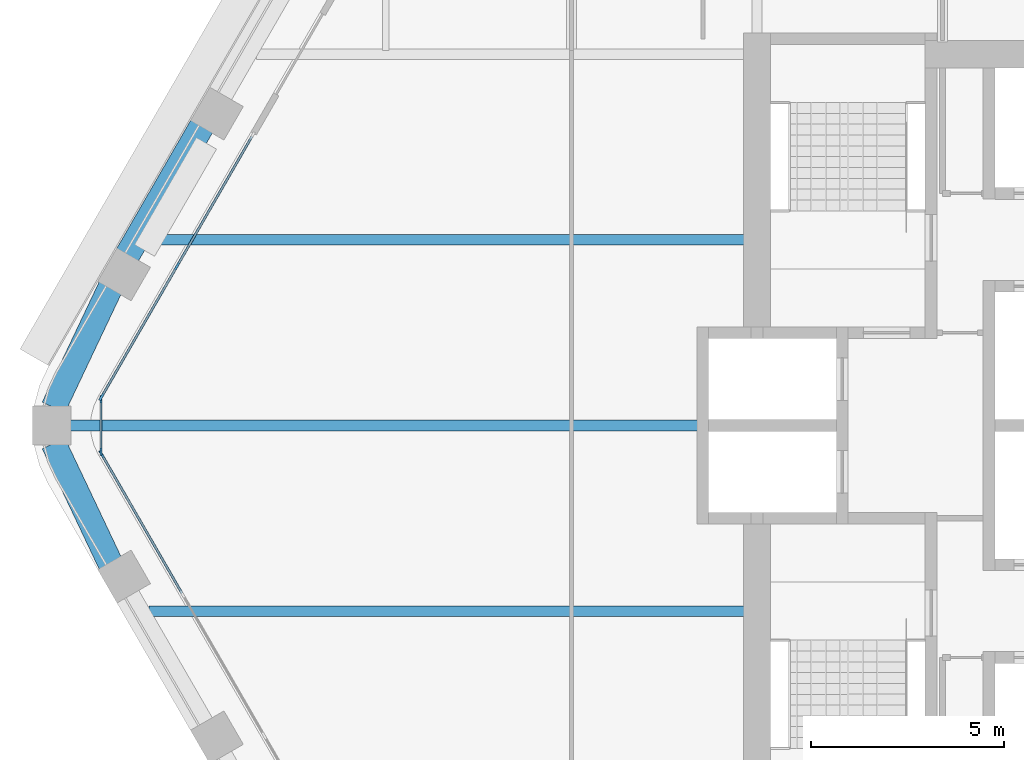
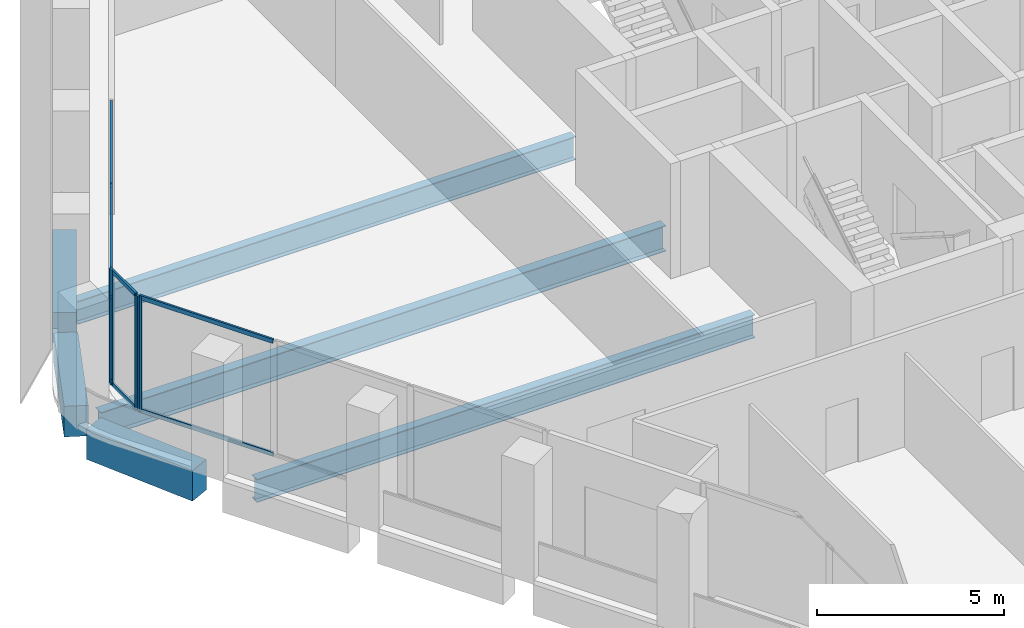
# One storey, part 3 of 15: 13 members, 6 beams, 3 elements without a shape of their own.
"""IFC4 building model written with IfcOpenShell, lengths in metres."""

from ifc_helpers import new_model, si_unit, direction, frame, origin, origin_2d, place, context, subcontext, project, spatial, rectangle, i_section, extrude, material, material_profile, profile_set, type_object, element, aggregate, save


model = new_model("IFC4")

# Units and contexts
model_context = context("Model", 3, precision=1e-05, world=origin(), true_north=direction((0.0, 1.0)))
body_context = subcontext(model_context, "Body", "Model", "MODEL_VIEW")
ifc_project = project(units=[si_unit("LENGTHUNIT", "METRE"), si_unit("AREAUNIT", "SQUARE_METRE"), si_unit("VOLUMEUNIT", "CUBIC_METRE"), si_unit("PLANEANGLEUNIT", "RADIAN"), si_unit("MASSUNIT", "GRAM", prefix="KILO")], contexts=[model_context])

# Site, building, storey
site_placement = place(None, origin())
site = spatial("IfcSite", under=ifc_project, at=site_placement, CompositionType="ELEMENT")
building_placement = place(site_placement, origin())
building = spatial("IfcBuilding", under=site, at=building_placement, Name="Kolab Exchange Tower", CompositionType="ELEMENT")
storey_placement = place(building_placement, frame((0.0, 0.0, 189.5)))
storey = spatial("IfcBuildingStorey", under=building, at=storey_placement, Name="L40", CompositionType="ELEMENT", Elevation=189.5)

# Beams
ifc_material_1 = material(Name="Steel S355", Category="steel")
ifc_material_profile_1 = material_profile(ifc_material_1, i_section(OverallWidth=0.26708984375, OverallDepth=0.761962890625, WebThickness=0.014404296875, FlangeThickness=0.021484375, at=origin_2d()), Name="W760X173")
ifc_profile_set_1 = profile_set([ifc_material_profile_1], Name="Steel S355")
beam_type_1 = type_object("IfcBeamType", Name="FLOOR BEAM W760X173", PredefinedType="BEAM", material=ifc_profile_set_1)
for number, where, z_axis, x_axis, name in (
    (1, (-25.318115234375, -4.800048828125, -0.531005859375), (1.0, 0.0, 0.0), (0.0, 1.0, 0.0), "beam/L40/fr/001"),
    (2, (-25.318115234375, 4.800048828125, -0.531005859375), (1.0, 0.0, 0.0), (0.0, 1.0, 0.0), "beam/L40/fr/002"),
):
    element("IfcBeam", number, at=place(storey_placement, frame(where, z_axis=z_axis, x_axis=x_axis)), inside=storey, type_object=beam_type_1, Name=name, PredefinedType="BEAM", context=body_context, shape_type="SweptSolid", body=[
        extrude(i_section(OverallWidth=0.26708984375, OverallDepth=0.761962890625, WebThickness=0.014404296875, FlangeThickness=0.021484375, at=origin_2d()), origin(), (0.0, 0.0, 1.0), 15.408203125),
    ])
ifc_material_profile_2 = material_profile(ifc_material_1, i_section(OverallWidth=0.2919921875, OverallDepth=0.840087890625, WebThickness=0.0146484375, FlangeThickness=0.021728515625, at=origin_2d()), Name="W840X193")
ifc_profile_set_2 = profile_set([ifc_material_profile_2], Name="Steel S355")
beam_type_2 = type_object("IfcBeamType", Name="FLOOR BEAM W840X193", PredefinedType="BEAM", material=ifc_profile_set_2)
beam_1_placement = place(storey_placement, frame((-27.3759765625, 0.0, -0.570068359375), z_axis=(1.0, 0.0, 0.0), x_axis=(0.0, 1.0, 0.0)))
element("IfcBeam", 3, at=beam_1_placement, inside=storey, type_object=beam_type_2, Name="beam/L40/fr/000", PredefinedType="BEAM", context=body_context, shape_type="SweptSolid", body=[
    extrude(i_section(OverallWidth=0.2919921875, OverallDepth=0.840087890625, WebThickness=0.0146484375, FlangeThickness=0.021728515625, at=origin_2d()), origin(), (0.0, 0.0, 1.0), 17.466064453125),
])
ifc_material_2 = material(Name="Concrete C60/75", Category="concrete")
ifc_material_profile_3 = material_profile(ifc_material_2, rectangle(XDim=0.64990234375, YDim=1.0, at=origin_2d()), Name="RC650X1000")
ifc_profile_set_3 = profile_set([ifc_material_profile_3], Name="Concrete C60/75")
beam_type_3 = type_object("IfcBeamType", Name="SPANDREL BEAM 650X1000 C60/75", PredefinedType="BEAM", material=ifc_profile_set_3)
for number, where, z_axis, x_axis, name in (
    (4, (-26.316162109375, -3.5771484375, -0.64990234375), (-0.428177731975, 0.903694544545, 0.0), (-0.903694544545, -0.428177731975, 0.0), "beam/L40/sp/F5-06"),
    (5, (-27.791259765625, 0.4638671875, -0.64990234375), (0.428177731975, 0.903694544545, 0.0), (-0.903694544545, 0.428177731975, 0.0), "beam/L40/sp/F6-01"),
):
    element("IfcBeam", number, at=place(storey_placement, frame(where, z_axis=z_axis, x_axis=x_axis)), inside=storey, type_object=beam_type_3, Name=name, PredefinedType="BEAM", context=body_context, shape_type="SweptSolid", body=[
        extrude(rectangle(XDim=0.64990234375, YDim=1.0, at=origin_2d()), origin(), (0.0, 0.0, 1.0), 3.445068359375),
    ])
beam_2_placement = place(storey_placement, frame((-25.888427734375, 4.392822265625, -0.64990234375), z_axis=(0.499996613652, 0.866027358884, 0.0), x_axis=(-0.866027358884, 0.499996613652, 0.0)))
element("IfcBeam", 6, at=beam_2_placement, inside=storey, type_object=beam_type_3, Name="beam/L40/sp/F6-02", PredefinedType="BEAM", context=body_context, shape_type="SweptSolid", body=[
    extrude(rectangle(XDim=0.64990234375, YDim=1.0, at=origin_2d()), origin(), (0.0, 0.0, 1.0), 3.8798828125),
])

# Curtain wall, member
ifc_material_3 = material(Name="Aluminium EN AW-6063 T6", Category="aluminium")
curtain_wall_type = type_object("IfcCurtainWallType", Name="UNITISED UPPER MID ZONE CURTAIN WALL", PredefinedType="NOTDEFINED", material=ifc_material_3)
curtain_wall_1_placement = place(storey_placement, origin())
curtain_wall_1 = element("IfcCurtainWall", 7, at=curtain_wall_1_placement, inside=storey, type_object=curtain_wall_type, Name="cw/L40/F5-2", PredefinedType="NOTDEFINED")
ifc_material_profile_4 = material_profile(ifc_material_3, rectangle(XDim=0.06005859375, YDim=0.199951171875, at=origin_2d()), Name="RECT 60X200")
ifc_profile_set_4 = profile_set([ifc_material_profile_4], Name="Aluminium EN AW-6063 T6")
member_type_1 = type_object("IfcMemberType", Name="UNITISED UPPER MID ZONE MULLION 60 X 200", PredefinedType="MULLION", material=ifc_profile_set_4)
member_1_placement = place(storey_placement, frame((-26.550537109375, -0.736083984375, 0.0), z_axis=(0.0, 0.0, 1.0), x_axis=(-0.866025427826, -0.499999958358, 0.0)))
member_1 = element("IfcMember", 8, at=member_1_placement, type_object=member_type_1, Name="CW3 mullion 4", PredefinedType="MULLION", context=body_context, shape_type="SweptSolid", body=[
    extrude(rectangle(XDim=0.06005859375, YDim=0.199951171875, at=origin_2d()), origin(), (0.0, 0.0, 1.0), 3.75),
])

# Curtain wall, members
curtain_wall_2_placement = place(storey_placement, origin())
curtain_wall_2 = element("IfcCurtainWall", 9, at=curtain_wall_2_placement, inside=storey, type_object=curtain_wall_type, Name="cw/L40/F6-1", PredefinedType="NOTDEFINED")
member_2_placement = place(storey_placement, frame((-26.550537109375, 0.736083984375, 0.0), z_axis=(0.0, 0.0, 1.0), x_axis=(-0.866025440524, 0.499999936366, 0.0)))
member_2 = element("IfcMember", 10, at=member_2_placement, type_object=member_type_1, Name="CW3 mullion 1", PredefinedType="MULLION", context=body_context, shape_type="SweptSolid", body=[
    extrude(rectangle(XDim=0.06005859375, YDim=0.199951171875, at=origin_2d()), origin(), (0.0, 0.0, 1.0), 3.75),
])
member_3_placement = place(storey_placement, frame((-24.5986328125, 4.116943359375, 0.0), z_axis=(0.0, 0.0, 1.0), x_axis=(-0.866025440524, 0.499999936366, 0.0)))
member_3 = element("IfcMember", 11, at=member_3_placement, type_object=member_type_1, Name="CW3 mullion 2", PredefinedType="MULLION", context=body_context, shape_type="SweptSolid", body=[
    extrude(rectangle(XDim=0.06005859375, YDim=0.199951171875, at=origin_2d()), origin(), (0.0, 0.0, 1.0), 3.75),
])

curtain_wall_3_placement = place(storey_placement, origin())
curtain_wall_3 = element("IfcCurtainWall", 12, at=curtain_wall_3_placement, inside=storey, type_object=curtain_wall_type, Name="cw/L40/F5F6-corner", PredefinedType="NOTDEFINED")
member_4_placement = place(storey_placement, frame((-26.565673828125, -0.679931640625, 0.0), z_axis=(0.0, 0.0, 1.0), x_axis=(-1.0, 0.0, 0.0)))
member_4 = element("IfcMember", 13, at=member_4_placement, type_object=member_type_1, Name="CW3 mullion 1", PredefinedType="MULLION", context=body_context, shape_type="SweptSolid", body=[
    extrude(rectangle(XDim=0.06005859375, YDim=0.199951171875, at=origin_2d()), origin(), (0.0, 0.0, 1.0), 3.75),
])
member_5_placement = place(storey_placement, frame((-26.565673828125, 0.679931640625, 0.0), z_axis=(0.0, 0.0, 1.0), x_axis=(-1.0, 0.0, 0.0)))
member_5 = element("IfcMember", 14, at=member_5_placement, type_object=member_type_1, Name="CW3 mullion 2", PredefinedType="MULLION", context=body_context, shape_type="SweptSolid", body=[
    extrude(rectangle(XDim=0.06005859375, YDim=0.199951171875, at=origin_2d()), origin(), (0.0, 0.0, 1.0), 3.75),
])

# Member
ifc_material_profile_5 = material_profile(ifc_material_3, rectangle(XDim=0.06005859375, YDim=0.139892578125, at=origin_2d()), Name="RECT 60X140")
ifc_profile_set_5 = profile_set([ifc_material_profile_5], Name="Aluminium EN AW-6063 T6")
member_type_2 = type_object("IfcMemberType", Name="UNITISED UPPER MID ZONE TRANSOM 60 X 140", PredefinedType="USERDEFINED", material=ifc_profile_set_5)
member_6_placement = place(storey_placement, frame((-24.46923828125, -4.3408203125, 0.030029296875), z_axis=(-0.500027577057, 0.866009481578, 0.0), x_axis=(-0.866009481578, -0.500027577057, 0.0)))
member_6 = element("IfcMember", 15, at=member_6_placement, type_object=member_type_2, Name="CW3 transom 3.1", ObjectType="TRANSOM", PredefinedType="USERDEFINED", context=body_context, shape_type="SweptSolid", body=[
    extrude(rectangle(XDim=0.06005859375, YDim=0.139892578125, at=origin_2d()), origin(), (0.0, 0.0, 1.0), 4.132568359375),
])

member_7_placement = place(storey_placement, frame((-24.46923828125, -4.3408203125, 3.719970703125), z_axis=(-0.500027577057, 0.866009481578, 0.0), x_axis=(-0.866009481578, -0.500027577057, 0.0)))
member_7 = element("IfcMember", 16, at=member_7_placement, type_object=member_type_2, Name="CW3 transom 3.2", ObjectType="TRANSOM", PredefinedType="USERDEFINED", context=body_context, shape_type="SweptSolid", body=[
    extrude(rectangle(XDim=0.06005859375, YDim=0.139892578125, at=origin_2d()), origin(), (0.0, 0.0, 1.0), 4.132568359375),
])

aggregate(curtain_wall_1, [member_1, member_6, member_7])

member_8_placement = place(storey_placement, frame((-26.53564453125, 0.761962890625, 0.030029296875), z_axis=(0.499991857942, 0.866030104553, 0.0), x_axis=(-0.866030104553, 0.499991857942, 0.0)))
member_8 = element("IfcMember", 17, at=member_8_placement, type_object=member_type_2, Name="CW3 transom 1.1", ObjectType="TRANSOM", PredefinedType="USERDEFINED", context=body_context, shape_type="SweptSolid", body=[
    extrude(rectangle(XDim=0.06005859375, YDim=0.139892578125, at=origin_2d()), origin(), (0.0, 0.0, 1.0), 3.84375),
])

member_9_placement = place(storey_placement, frame((-26.53564453125, 0.761962890625, 3.719970703125), z_axis=(0.499991857942, 0.866030104553, 0.0), x_axis=(-0.866030104553, 0.499991857942, 0.0)))
member_9 = element("IfcMember", 18, at=member_9_placement, type_object=member_type_2, Name="CW3 transom 1.2", ObjectType="TRANSOM", PredefinedType="USERDEFINED", context=body_context, shape_type="SweptSolid", body=[
    extrude(rectangle(XDim=0.06005859375, YDim=0.139892578125, at=origin_2d()), origin(), (0.0, 0.0, 1.0), 3.84375),
])

member_10_placement = place(storey_placement, frame((-24.583740234375, 4.142822265625, 0.030029296875), z_axis=(0.500011990396, 0.866018481016, 0.0), x_axis=(-0.866018481016, 0.500011990396, 0.0)))
member_10 = element("IfcMember", 19, at=member_10_placement, type_object=member_type_2, Name="CW3 transom 2.1", ObjectType="TRANSOM", PredefinedType="USERDEFINED", context=body_context, shape_type="SweptSolid", body=[
    extrude(rectangle(XDim=0.06005859375, YDim=0.139892578125, at=origin_2d()), origin(), (0.0, 0.0, 1.0), 3.84423828125),
])

member_11_placement = place(storey_placement, frame((-24.583740234375, 4.142822265625, 3.719970703125), z_axis=(0.500011990396, 0.866018481016, 0.0), x_axis=(-0.866018481016, 0.500011990396, 0.0)))
member_11 = element("IfcMember", 20, at=member_11_placement, type_object=member_type_2, Name="CW3 transom 2.2", ObjectType="TRANSOM", PredefinedType="USERDEFINED", context=body_context, shape_type="SweptSolid", body=[
    extrude(rectangle(XDim=0.06005859375, YDim=0.139892578125, at=origin_2d()), origin(), (0.0, 0.0, 1.0), 3.84423828125),
])

aggregate(curtain_wall_2, [member_2, member_3, member_8, member_9, member_10, member_11])

member_12_placement = place(storey_placement, frame((-26.565673828125, -0.64990234375, 0.030029296875), z_axis=(0.0, 1.0, 0.0), x_axis=(-1.0, 0.0, 0.0)))
member_12 = element("IfcMember", 21, at=member_12_placement, type_object=member_type_2, Name="CW3 transom 1.1", ObjectType="TRANSOM", PredefinedType="USERDEFINED", context=body_context, shape_type="SweptSolid", body=[
    extrude(rectangle(XDim=0.06005859375, YDim=0.139892578125, at=origin_2d()), origin(), (0.0, 0.0, 1.0), 1.2998046875),
])

member_13_placement = place(storey_placement, frame((-26.565673828125, -0.64990234375, 3.719970703125), z_axis=(0.0, 1.0, 0.0), x_axis=(-1.0, 0.0, 0.0)))
member_13 = element("IfcMember", 22, at=member_13_placement, type_object=member_type_2, Name="CW3 transom 1.2", ObjectType="TRANSOM", PredefinedType="USERDEFINED", context=body_context, shape_type="SweptSolid", body=[
    extrude(rectangle(XDim=0.06005859375, YDim=0.139892578125, at=origin_2d()), origin(), (0.0, 0.0, 1.0), 1.2998046875),
])

aggregate(curtain_wall_3, [member_4, member_5, member_12, member_13])

save(model, "model.ifc")
